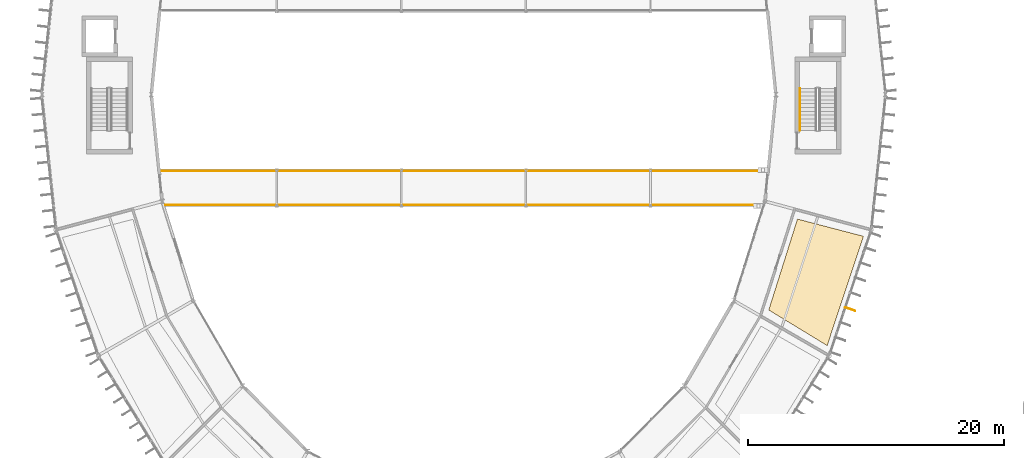
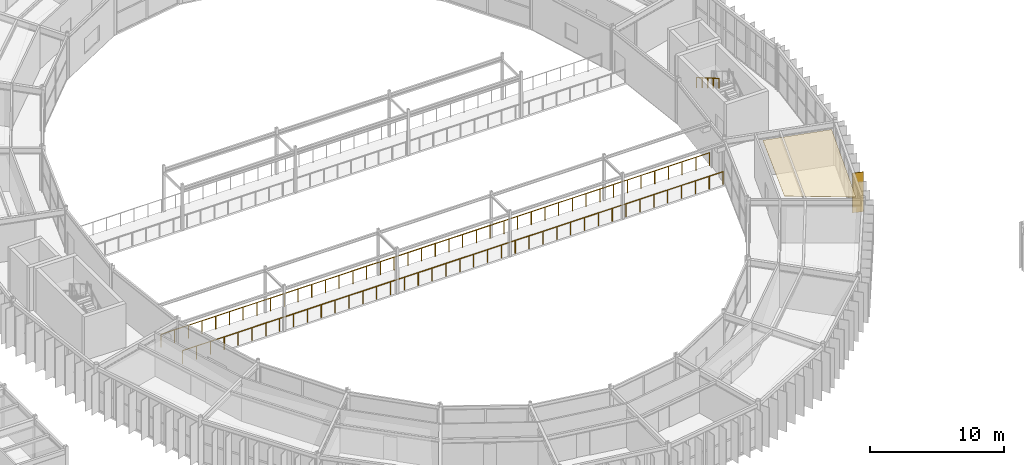
# One storey, part 139 of 148: 3 railings, 1 covering, 1 shading device.
"""IFC4 building model written with IfcOpenShell, lengths in metres."""

from ifc_helpers import new_model, si_unit, direction, frame, origin, origin_2d, place, context, subcontext, project, spatial, polyline, rectangle, circle, outline, extrude, material, layer, layer_set, type_object, element, save


model = new_model("IFC4")

# Units and contexts
model_context = context("Model", 3, precision=1e-05, world=origin(), true_north=direction((0.0, 1.0)))
body_context = subcontext(model_context, "Body", "Model", "MODEL_VIEW")
ifc_project = project(units=[si_unit("LENGTHUNIT", "METRE"), si_unit("AREAUNIT", "SQUARE_METRE"), si_unit("VOLUMEUNIT", "CUBIC_METRE"), si_unit("PLANEANGLEUNIT", "RADIAN"), si_unit("MASSUNIT", "GRAM", prefix="KILO")], contexts=[model_context])

# Site, building, storey
site_placement = place(None, origin())
site = spatial("IfcSite", under=ifc_project, at=site_placement, CompositionType="ELEMENT")
building_placement = place(site_placement, origin())
building = spatial("IfcBuilding", under=site, at=building_placement, Name="Karori Crest Natural Sciences Institute", CompositionType="ELEMENT")
storey_placement = place(building_placement, frame((0.0, 0.0, 4.89990234375)))
storey = spatial("IfcBuildingStorey", under=building, at=storey_placement, Name="L01", CompositionType="ELEMENT", Elevation=4.89990234375)

# Covering
ifc_material_1 = material(Name="Acoustic mineral fibre ceiling tile")
ifc_layer_1 = layer(ifc_material_1, 0.02490234375, Name="Acoustic mineral fibre ceiling tile")
ifc_layer_set_1 = layer_set([ifc_layer_1], Name="Acoustic mineral fibre ceiling tile")
covering_type = type_object("IfcCoveringType", Name="CVT-CEIL", PredefinedType="CEILING", material=ifc_layer_set_1)
covering_placement = place(storey_placement, frame((0.0, 0.0, 3.705078125)))
element("IfcCovering", 1, at=covering_placement, inside=storey, type_object=covering_type, Name="Acoustic ceiling CLG-0064", PredefinedType="CEILING", context=body_context, shape_type="SweptSolid", body=[
    extrude(outline(polyline([(92.50341796875, 40.1748046875), (90.260009765625, 33.06591796875), (94.82568359375, 30.28515625), (97.66162109375, 38.827392578125), (92.50341796875, 40.1748046875)])), origin(), (0.0, 0.0, 1.0), 0.02490234375),
])

# Railings
ifc_material_2 = material(Name="Stainless steel 316 balustrade", Category="steel")
railing_type_1 = type_object("IfcRailingType", Name="RLT-GRD", PredefinedType="GUARDRAIL", material=ifc_material_2)
railing_1_placement = place(storey_placement, frame((43.086181640625, 41.280029296875, 0.0)))
element("IfcRailing", 2, at=railing_1_placement, inside=storey, type_object=railing_type_1, Name="Courtyard bridge south guard GR-0001", PredefinedType="GUARDRAIL", context=body_context, shape_type="SweptSolid", body=[
    extrude(circle(Radius=0.02392578125, at=origin_2d()), frame((0.0, 0.0, 1.17578125), z_axis=(1.0, 0.0, 0.0), x_axis=(0.0, 1.0, 0.0)), (0.0, 0.0, 1.0), 46.62744140625),
    extrude(circle(Radius=0.02099609375, at=origin_2d()), origin(), (0.0, 0.0, 1.0), 1.15185546875),
    extrude(circle(Radius=0.02099609375, at=origin_2d()), frame((1.195556640625, 0.0, 0.0)), (0.0, 0.0, 1.0), 1.15185546875),
    extrude(circle(Radius=0.02099609375, at=origin_2d()), frame((2.39111328125, 0.0, 0.0)), (0.0, 0.0, 1.0), 1.15185546875),
    extrude(circle(Radius=0.02099609375, at=origin_2d()), frame((3.586669921875, 0.0, 0.0)), (0.0, 0.0, 1.0), 1.15185546875),
    extrude(circle(Radius=0.02099609375, at=origin_2d()), frame((4.7822265625, 0.0, 0.0)), (0.0, 0.0, 1.0), 1.15185546875),
    extrude(circle(Radius=0.02099609375, at=origin_2d()), frame((5.977783203125, 0.0, 0.0)), (0.0, 0.0, 1.0), 1.15185546875),
    extrude(circle(Radius=0.02099609375, at=origin_2d()), frame((7.17333984375, 0.0, 0.0)), (0.0, 0.0, 1.0), 1.15185546875),
    extrude(circle(Radius=0.02099609375, at=origin_2d()), frame((8.369140625, 0.0, 0.0)), (0.0, 0.0, 1.0), 1.15185546875),
    extrude(circle(Radius=0.02099609375, at=origin_2d()), frame((9.564697265625, 0.0, 0.0)), (0.0, 0.0, 1.0), 1.15185546875),
    extrude(circle(Radius=0.02099609375, at=origin_2d()), frame((10.76025390625, 0.0, 0.0)), (0.0, 0.0, 1.0), 1.15185546875),
    extrude(circle(Radius=0.02099609375, at=origin_2d()), frame((11.955810546875, 0.0, 0.0)), (0.0, 0.0, 1.0), 1.15185546875),
    extrude(circle(Radius=0.02099609375, at=origin_2d()), frame((13.1513671875, 0.0, 0.0)), (0.0, 0.0, 1.0), 1.15185546875),
    extrude(circle(Radius=0.02099609375, at=origin_2d()), frame((14.346923828125, 0.0, 0.0)), (0.0, 0.0, 1.0), 1.15185546875),
    extrude(circle(Radius=0.02099609375, at=origin_2d()), frame((15.54248046875, 0.0, 0.0)), (0.0, 0.0, 1.0), 1.15185546875),
    extrude(circle(Radius=0.02099609375, at=origin_2d()), frame((16.738037109375, 0.0, 0.0)), (0.0, 0.0, 1.0), 1.15185546875),
    extrude(circle(Radius=0.02099609375, at=origin_2d()), frame((17.93359375, 0.0, 0.0)), (0.0, 0.0, 1.0), 1.15185546875),
    extrude(circle(Radius=0.02099609375, at=origin_2d()), frame((19.129150390625, 0.0, 0.0)), (0.0, 0.0, 1.0), 1.15185546875),
    extrude(circle(Radius=0.02099609375, at=origin_2d()), frame((20.32470703125, 0.0, 0.0)), (0.0, 0.0, 1.0), 1.15185546875),
    extrude(circle(Radius=0.02099609375, at=origin_2d()), frame((21.520263671875, 0.0, 0.0)), (0.0, 0.0, 1.0), 1.15185546875),
    extrude(circle(Radius=0.02099609375, at=origin_2d()), frame((22.7158203125, 0.0, 0.0)), (0.0, 0.0, 1.0), 1.15185546875),
    extrude(circle(Radius=0.02099609375, at=origin_2d()), frame((23.91162109375, 0.0, 0.0)), (0.0, 0.0, 1.0), 1.15185546875),
    extrude(circle(Radius=0.02099609375, at=origin_2d()), frame((25.107177734375, 0.0, 0.0)), (0.0, 0.0, 1.0), 1.15185546875),
    extrude(circle(Radius=0.02099609375, at=origin_2d()), frame((26.302734375, 0.0, 0.0)), (0.0, 0.0, 1.0), 1.15185546875),
    extrude(circle(Radius=0.02099609375, at=origin_2d()), frame((27.498291015625, 0.0, 0.0)), (0.0, 0.0, 1.0), 1.15185546875),
    extrude(circle(Radius=0.02099609375, at=origin_2d()), frame((28.69384765625, 0.0, 0.0)), (0.0, 0.0, 1.0), 1.15185546875),
    extrude(circle(Radius=0.02099609375, at=origin_2d()), frame((29.889404296875, 0.0, 0.0)), (0.0, 0.0, 1.0), 1.15185546875),
    extrude(circle(Radius=0.02099609375, at=origin_2d()), frame((31.0849609375, 0.0, 0.0)), (0.0, 0.0, 1.0), 1.15185546875),
    extrude(circle(Radius=0.02099609375, at=origin_2d()), frame((32.280517578125, 0.0, 0.0)), (0.0, 0.0, 1.0), 1.15185546875),
    extrude(circle(Radius=0.02099609375, at=origin_2d()), frame((33.47607421875, 0.0, 0.0)), (0.0, 0.0, 1.0), 1.15185546875),
    extrude(circle(Radius=0.02099609375, at=origin_2d()), frame((34.671630859375, 0.0, 0.0)), (0.0, 0.0, 1.0), 1.15185546875),
    extrude(circle(Radius=0.02099609375, at=origin_2d()), frame((35.8671875, 0.0, 0.0)), (0.0, 0.0, 1.0), 1.15185546875),
    extrude(circle(Radius=0.02099609375, at=origin_2d()), frame((37.062744140625, 0.0, 0.0)), (0.0, 0.0, 1.0), 1.15185546875),
    extrude(circle(Radius=0.02099609375, at=origin_2d()), frame((38.25830078125, 0.0, 0.0)), (0.0, 0.0, 1.0), 1.15185546875),
    extrude(circle(Radius=0.02099609375, at=origin_2d()), frame((39.4541015625, 0.0, 0.0)), (0.0, 0.0, 1.0), 1.15185546875),
    extrude(circle(Radius=0.02099609375, at=origin_2d()), frame((40.649658203125, 0.0, 0.0)), (0.0, 0.0, 1.0), 1.15185546875),
    extrude(circle(Radius=0.02099609375, at=origin_2d()), frame((41.84521484375, 0.0, 0.0)), (0.0, 0.0, 1.0), 1.15185546875),
    extrude(circle(Radius=0.02099609375, at=origin_2d()), frame((43.040771484375, 0.0, 0.0)), (0.0, 0.0, 1.0), 1.15185546875),
    extrude(circle(Radius=0.02099609375, at=origin_2d()), frame((44.236328125, 0.0, 0.0)), (0.0, 0.0, 1.0), 1.15185546875),
    extrude(circle(Radius=0.02099609375, at=origin_2d()), frame((45.431884765625, 0.0, 0.0)), (0.0, 0.0, 1.0), 1.15185546875),
    extrude(circle(Radius=0.02099609375, at=origin_2d()), frame((46.62744140625, 0.0, 0.0)), (0.0, 0.0, 1.0), 1.15185546875),
])
railing_2_placement = place(storey_placement, frame((42.728515625, 43.919921875, 0.0)))
element("IfcRailing", 3, at=railing_2_placement, inside=storey, type_object=railing_type_1, Name="Courtyard bridge north guard GR-0002", PredefinedType="GUARDRAIL", context=body_context, shape_type="SweptSolid", body=[
    extrude(circle(Radius=0.02392578125, at=origin_2d()), frame((0.0, 0.0, 1.17578125), z_axis=(1.0, 0.0, 0.0), x_axis=(0.0, 1.0, 0.0)), (0.0, 0.0, 1.0), 47.3427734375),
    extrude(circle(Radius=0.02099609375, at=origin_2d()), origin(), (0.0, 0.0, 1.0), 1.15185546875),
    extrude(circle(Radius=0.02099609375, at=origin_2d()), frame((1.18359375, 0.0, 0.0)), (0.0, 0.0, 1.0), 1.15185546875),
    extrude(circle(Radius=0.02099609375, at=origin_2d()), frame((2.3671875, 0.0, 0.0)), (0.0, 0.0, 1.0), 1.15185546875),
    extrude(circle(Radius=0.02099609375, at=origin_2d()), frame((3.55078125, 0.0, 0.0)), (0.0, 0.0, 1.0), 1.15185546875),
    extrude(circle(Radius=0.02099609375, at=origin_2d()), frame((4.734375, 0.0, 0.0)), (0.0, 0.0, 1.0), 1.15185546875),
    extrude(circle(Radius=0.02099609375, at=origin_2d()), frame((5.91796875, 0.0, 0.0)), (0.0, 0.0, 1.0), 1.15185546875),
    extrude(circle(Radius=0.02099609375, at=origin_2d()), frame((7.101318359375, 0.0, 0.0)), (0.0, 0.0, 1.0), 1.15185546875),
    extrude(circle(Radius=0.02099609375, at=origin_2d()), frame((8.284912109375, 0.0, 0.0)), (0.0, 0.0, 1.0), 1.15185546875),
    extrude(circle(Radius=0.02099609375, at=origin_2d()), frame((9.468505859375, 0.0, 0.0)), (0.0, 0.0, 1.0), 1.15185546875),
    extrude(circle(Radius=0.02099609375, at=origin_2d()), frame((10.652099609375, 0.0, 0.0)), (0.0, 0.0, 1.0), 1.15185546875),
    extrude(circle(Radius=0.02099609375, at=origin_2d()), frame((11.835693359375, 0.0, 0.0)), (0.0, 0.0, 1.0), 1.15185546875),
    extrude(circle(Radius=0.02099609375, at=origin_2d()), frame((13.019287109375, 0.0, 0.0)), (0.0, 0.0, 1.0), 1.15185546875),
    extrude(circle(Radius=0.02099609375, at=origin_2d()), frame((14.202880859375, 0.0, 0.0)), (0.0, 0.0, 1.0), 1.15185546875),
    extrude(circle(Radius=0.02099609375, at=origin_2d()), frame((15.386474609375, 0.0, 0.0)), (0.0, 0.0, 1.0), 1.15185546875),
    extrude(circle(Radius=0.02099609375, at=origin_2d()), frame((16.570068359375, 0.0, 0.0)), (0.0, 0.0, 1.0), 1.15185546875),
    extrude(circle(Radius=0.02099609375, at=origin_2d()), frame((17.75341796875, 0.0, 0.0)), (0.0, 0.0, 1.0), 1.15185546875),
    extrude(circle(Radius=0.02099609375, at=origin_2d()), frame((18.93701171875, 0.0, 0.0)), (0.0, 0.0, 1.0), 1.15185546875),
    extrude(circle(Radius=0.02099609375, at=origin_2d()), frame((20.12060546875, 0.0, 0.0)), (0.0, 0.0, 1.0), 1.15185546875),
    extrude(circle(Radius=0.02099609375, at=origin_2d()), frame((21.30419921875, 0.0, 0.0)), (0.0, 0.0, 1.0), 1.15185546875),
    extrude(circle(Radius=0.02099609375, at=origin_2d()), frame((22.48779296875, 0.0, 0.0)), (0.0, 0.0, 1.0), 1.15185546875),
    extrude(circle(Radius=0.02099609375, at=origin_2d()), frame((23.67138671875, 0.0, 0.0)), (0.0, 0.0, 1.0), 1.15185546875),
    extrude(circle(Radius=0.02099609375, at=origin_2d()), frame((24.85498046875, 0.0, 0.0)), (0.0, 0.0, 1.0), 1.15185546875),
    extrude(circle(Radius=0.02099609375, at=origin_2d()), frame((26.03857421875, 0.0, 0.0)), (0.0, 0.0, 1.0), 1.15185546875),
    extrude(circle(Radius=0.02099609375, at=origin_2d()), frame((27.22216796875, 0.0, 0.0)), (0.0, 0.0, 1.0), 1.15185546875),
    extrude(circle(Radius=0.02099609375, at=origin_2d()), frame((28.40576171875, 0.0, 0.0)), (0.0, 0.0, 1.0), 1.15185546875),
    extrude(circle(Radius=0.02099609375, at=origin_2d()), frame((29.58935546875, 0.0, 0.0)), (0.0, 0.0, 1.0), 1.15185546875),
    extrude(circle(Radius=0.02099609375, at=origin_2d()), frame((30.772705078125, 0.0, 0.0)), (0.0, 0.0, 1.0), 1.15185546875),
    extrude(circle(Radius=0.02099609375, at=origin_2d()), frame((31.956298828125, 0.0, 0.0)), (0.0, 0.0, 1.0), 1.15185546875),
    extrude(circle(Radius=0.02099609375, at=origin_2d()), frame((33.139892578125, 0.0, 0.0)), (0.0, 0.0, 1.0), 1.15185546875),
    extrude(circle(Radius=0.02099609375, at=origin_2d()), frame((34.323486328125, 0.0, 0.0)), (0.0, 0.0, 1.0), 1.15185546875),
    extrude(circle(Radius=0.02099609375, at=origin_2d()), frame((35.507080078125, 0.0, 0.0)), (0.0, 0.0, 1.0), 1.15185546875),
    extrude(circle(Radius=0.02099609375, at=origin_2d()), frame((36.690673828125, 0.0, 0.0)), (0.0, 0.0, 1.0), 1.15185546875),
    extrude(circle(Radius=0.02099609375, at=origin_2d()), frame((37.874267578125, 0.0, 0.0)), (0.0, 0.0, 1.0), 1.15185546875),
    extrude(circle(Radius=0.02099609375, at=origin_2d()), frame((39.057861328125, 0.0, 0.0)), (0.0, 0.0, 1.0), 1.15185546875),
    extrude(circle(Radius=0.02099609375, at=origin_2d()), frame((40.241455078125, 0.0, 0.0)), (0.0, 0.0, 1.0), 1.15185546875),
    extrude(circle(Radius=0.02099609375, at=origin_2d()), frame((41.4248046875, 0.0, 0.0)), (0.0, 0.0, 1.0), 1.15185546875),
    extrude(circle(Radius=0.02099609375, at=origin_2d()), frame((42.6083984375, 0.0, 0.0)), (0.0, 0.0, 1.0), 1.15185546875),
    extrude(circle(Radius=0.02099609375, at=origin_2d()), frame((43.7919921875, 0.0, 0.0)), (0.0, 0.0, 1.0), 1.15185546875),
    extrude(circle(Radius=0.02099609375, at=origin_2d()), frame((44.9755859375, 0.0, 0.0)), (0.0, 0.0, 1.0), 1.15185546875),
    extrude(circle(Radius=0.02099609375, at=origin_2d()), frame((46.1591796875, 0.0, 0.0)), (0.0, 0.0, 1.0), 1.15185546875),
    extrude(circle(Radius=0.02099609375, at=origin_2d()), frame((47.3427734375, 0.0, 0.0)), (0.0, 0.0, 1.0), 1.15185546875),
])
ifc_material_3 = material(Name="Stainless steel 316 tubular handrail", Category="steel")
railing_type_2 = type_object("IfcRailingType", Name="RLT-HND", PredefinedType="HANDRAIL", material=ifc_material_3)
railing_3_placement = place(storey_placement, frame((92.699951171875, 50.39990234375, 2.275146484375)))
element("IfcRailing", 4, at=railing_3_placement, inside=storey, type_object=railing_type_2, Name="Stair handrail RL-0018", PredefinedType="HANDRAIL", context=body_context, shape_type="SweptSolid", body=[
    extrude(circle(Radius=0.02392578125, at=origin_2d()), frame((0.0, 0.0, 0.90087890625), z_axis=(0.0, -0.863760357493, 0.503902812876), x_axis=(1.0, 0.0, 0.0)), (0.0, 0.0, 1.0), 3.8203125),
    extrude(circle(Radius=0.02099609375, at=origin_2d()), origin(), (0.0, 0.0, 1.0), 0.876953125),
    extrude(circle(Radius=0.02099609375, at=origin_2d()), frame((0.0, -0.824951171875, 0.481201171875)), (0.0, 0.0, 1.0), 0.876953125),
    extrude(circle(Radius=0.02099609375, at=origin_2d()), frame((0.0, -1.64990234375, 0.96240234375)), (0.0, 0.0, 1.0), 0.876953125),
    extrude(circle(Radius=0.02099609375, at=origin_2d()), frame((0.0, -2.474853515625, 1.44384765625)), (0.0, 0.0, 1.0), 0.876953125),
    extrude(circle(Radius=0.02099609375, at=origin_2d()), frame((0.0, -3.2998046875, 1.925048828125)), (0.0, 0.0, 1.0), 0.876953125),
])

# Shading device
ifc_material_4 = material(Name="Anodised architectural aluminium 6063-T6", Category="aluminium")
ifc_layer_2 = layer(ifc_material_4, 0.044921875, Name="Anodised architectural aluminium 6063-T6")
ifc_layer_set_2 = layer_set([ifc_layer_2], Name="Anodised architectural aluminium 6063-T6")
shading_device_type = type_object("IfcShadingDeviceType", Name="SDT-FIN", PredefinedType="USERDEFINED", material=ifc_layer_set_2)
shading_device_placement = place(storey_placement, frame((96.627685546875, 33.130859375, 0.0), z_axis=(0.0, 0.0, 1.0), x_axis=(0.948196204549, -0.317685312343, 0.0)))
element("IfcShadingDevice", 5, at=shading_device_placement, inside=storey, type_object=shading_device_type, Name="Vertical solar fin FN-0192", ObjectType="SOLAR_FIN", PredefinedType="USERDEFINED", context=body_context, shape_type="SweptSolid", body=[
    extrude(rectangle(XDim=0.85009765625, YDim=0.044921875, at=origin_2d()), origin(), (0.0, 0.0, 1.0), 3.625),
])

save(model, "model.ifc")
